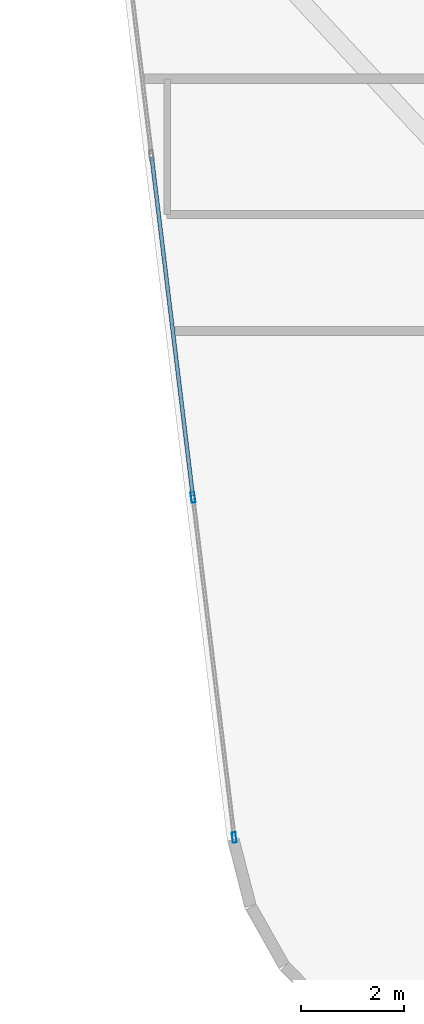
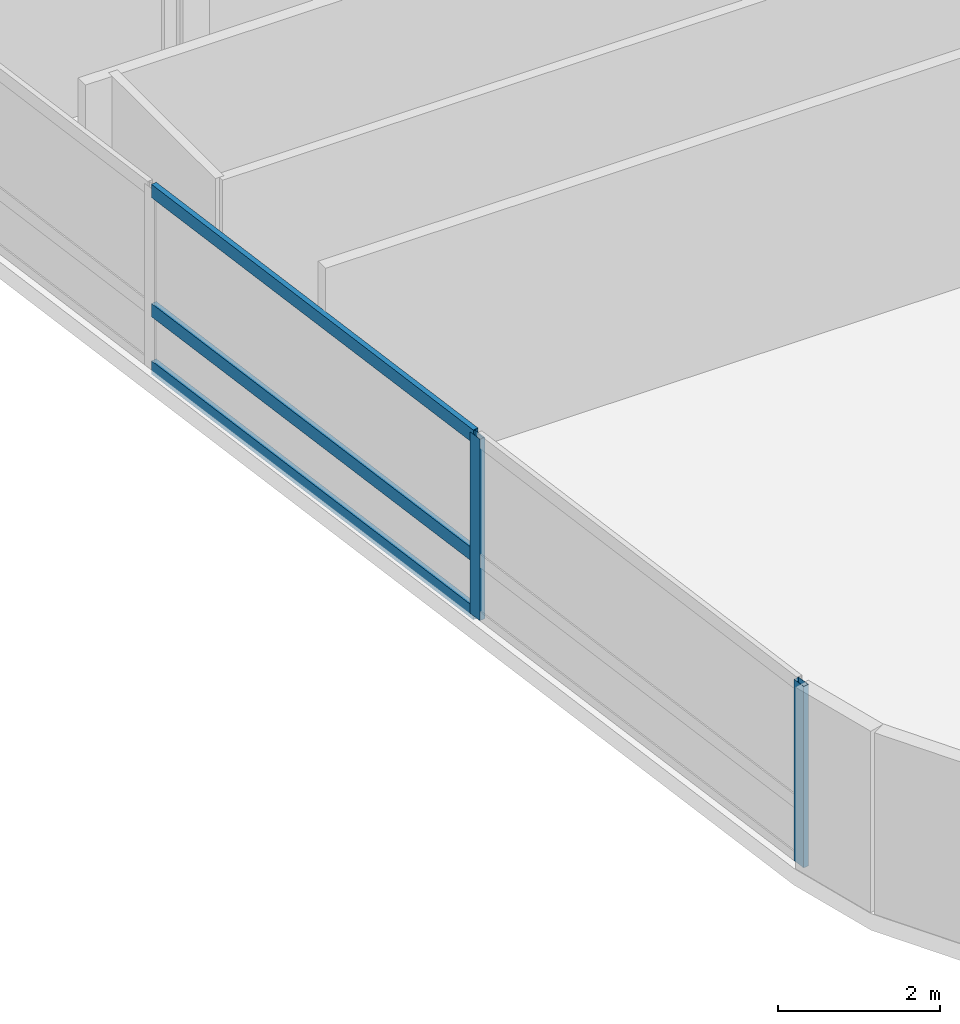
# One storey, part 2 of 22: 5 members, 1 element without a shape of its own.
"""IFC4 building model written with IfcOpenShell, lengths in metres."""

from ifc_helpers import new_model, si_unit, direction, frame, origin, origin_2d, place, context, subcontext, project, spatial, hollow_rectangle, extrude, material, layer, layer_set, material_profile, profile_set, type_object, element, aggregate, save


model = new_model("IFC4")

# Units and contexts
model_context = context("Model", 3, precision=1e-05, world=origin(), true_north=direction((0.0, 1.0)))
body_context = subcontext(model_context, "Body", "Model", "MODEL_VIEW")
ifc_project = project(units=[si_unit("LENGTHUNIT", "METRE"), si_unit("AREAUNIT", "SQUARE_METRE"), si_unit("VOLUMEUNIT", "CUBIC_METRE"), si_unit("PLANEANGLEUNIT", "RADIAN"), si_unit("MASSUNIT", "GRAM", prefix="KILO")], contexts=[model_context])

# Site, building, storey
site_placement = place(None, origin())
site = spatial("IfcSite", under=ifc_project, at=site_placement, CompositionType="ELEMENT")
building_placement = place(site_placement, origin())
building = spatial("IfcBuilding", under=site, at=building_placement, Name="Varnelok Gate Tower", CompositionType="ELEMENT")
storey_placement = place(building_placement, frame((0.0, 0.0, 178.300048828125)))
storey = spatial("IfcBuildingStorey", under=building, at=storey_placement, Name="L45", CompositionType="ELEMENT", Elevation=178.300048828125)

# Curtain wall, members
ifc_material = material(Name="Anodized Aluminum Alloy 6063-T6", Category="aluminium")
ifc_layer = layer(ifc_material, 0.179931640625)
ifc_layer_set = layer_set([ifc_layer], Name="Anodized Aluminum Alloy 6063-T6")
curtain_wall_type = type_object("IfcCurtainWallType", Name="CW4-RESIDENCE-VISION", PredefinedType="USERDEFINED", material=ifc_layer_set)
curtain_wall_placement = place(storey_placement, origin())
curtain_wall = element("IfcCurtainWall", 1, at=curtain_wall_placement, inside=storey, type_object=curtain_wall_type, Name="L45 West End Vision Curtain Wall", ObjectType="UNITISED CURTAIN WALL", PredefinedType="USERDEFINED")
ifc_material_profile_1 = material_profile(ifc_material, hollow_rectangle(XDim=0.074951171875, YDim=0.199951171875, WallThickness=0.00390625, at=origin_2d()), Name="ALU200X75X4")
ifc_profile_set_1 = profile_set([ifc_material_profile_1], Name="Anodized Aluminum Alloy 6063-T6")
member_type_1 = type_object("IfcMemberType", Name="CW-MULL-200", PredefinedType="MULLION", material=ifc_profile_set_1)
member_1_placement = place(storey_placement, frame((6.30078125, 4.52734375, 0.0), z_axis=(0.0, 0.0, 1.0), x_axis=(-0.992732188751, -0.120344511371, 0.0)))
member_1 = element("IfcMember", 2, at=member_1_placement, type_object=member_type_1, Name="CW4 mullion 1", PredefinedType="MULLION", context=body_context, shape_type="SweptSolid", body=[
    extrude(hollow_rectangle(XDim=0.074951171875, YDim=0.199951171875, WallThickness=0.00390625, at=origin_2d()), origin(), (0.0, 0.0, 1.0), 2.72998046875),
])
member_2_placement = place(storey_placement, frame((5.50146484375, 11.12158203125, 0.0), z_axis=(0.0, 0.0, 1.0), x_axis=(-0.992732188751, -0.120344511371, 0.0)))
member_2 = element("IfcMember", 3, at=member_2_placement, type_object=member_type_1, Name="CW4 mullion 2", PredefinedType="MULLION", context=body_context, shape_type="SweptSolid", body=[
    extrude(hollow_rectangle(XDim=0.074951171875, YDim=0.199951171875, WallThickness=0.00390625, at=origin_2d()), origin(), (0.0, 0.0, 1.0), 2.72998046875),
])
ifc_material_profile_2 = material_profile(ifc_material, hollow_rectangle(XDim=0.074951171875, YDim=0.199951171875, WallThickness=0.00390625, at=origin_2d()), Name="ALU200X75X4")
ifc_profile_set_2 = profile_set([ifc_material_profile_2], Name="Anodized Aluminum Alloy 6063-T6")
member_type_2 = type_object("IfcMemberType", Name="CW-TRAN-200", PredefinedType="USERDEFINED", material=ifc_profile_set_2)
member_3_placement = place(storey_placement, frame((5.496826171875, 11.15869140625, 0.037353515625), z_axis=(-0.120349029092, 0.992731641078, 0.0), x_axis=(-0.992731641078, -0.120349029092, 0.0)))
member_3 = element("IfcMember", 4, at=member_3_placement, type_object=member_type_2, Name="CW4 transom 2.1", ObjectType="TRANSOM", PredefinedType="USERDEFINED", context=body_context, shape_type="SweptSolid", body=[
    extrude(hollow_rectangle(XDim=0.074951171875, YDim=0.199951171875, WallThickness=0.00390625, at=origin_2d()), origin(), (0.0, 0.0, 1.0), 6.605224609375),
])
member_4_placement = place(storey_placement, frame((5.496826171875, 11.15869140625, 0.89990234375), z_axis=(-0.120349029092, 0.992731641078, 0.0), x_axis=(-0.992731641078, -0.120349029092, 0.0)))
member_4 = element("IfcMember", 5, at=member_4_placement, type_object=member_type_2, Name="CW4 transom 2.2", ObjectType="TRANSOM", PredefinedType="USERDEFINED", context=body_context, shape_type="SweptSolid", body=[
    extrude(hollow_rectangle(XDim=0.074951171875, YDim=0.199951171875, WallThickness=0.00390625, at=origin_2d()), origin(), (0.0, 0.0, 1.0), 6.605224609375),
])
member_5_placement = place(storey_placement, frame((5.496826171875, 11.15869140625, 2.6923828125), z_axis=(-0.120349029092, 0.992731641078, 0.0), x_axis=(-0.992731641078, -0.120349029092, 0.0)))
member_5 = element("IfcMember", 6, at=member_5_placement, type_object=member_type_2, Name="CW4 transom 2.3", ObjectType="TRANSOM", PredefinedType="USERDEFINED", context=body_context, shape_type="SweptSolid", body=[
    extrude(hollow_rectangle(XDim=0.074951171875, YDim=0.199951171875, WallThickness=0.00390625, at=origin_2d()), origin(), (0.0, 0.0, 1.0), 6.605224609375),
])
aggregate(curtain_wall, [member_1, member_2, member_3, member_4, member_5])

save(model, "model.ifc")
